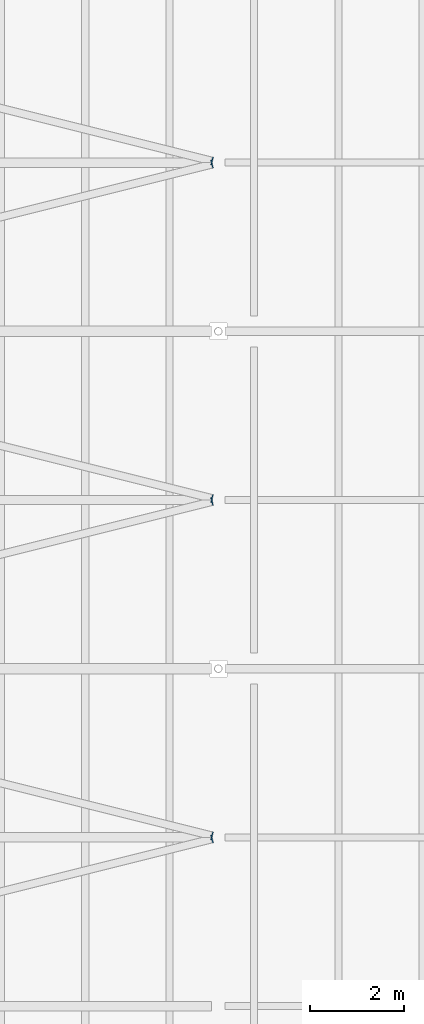
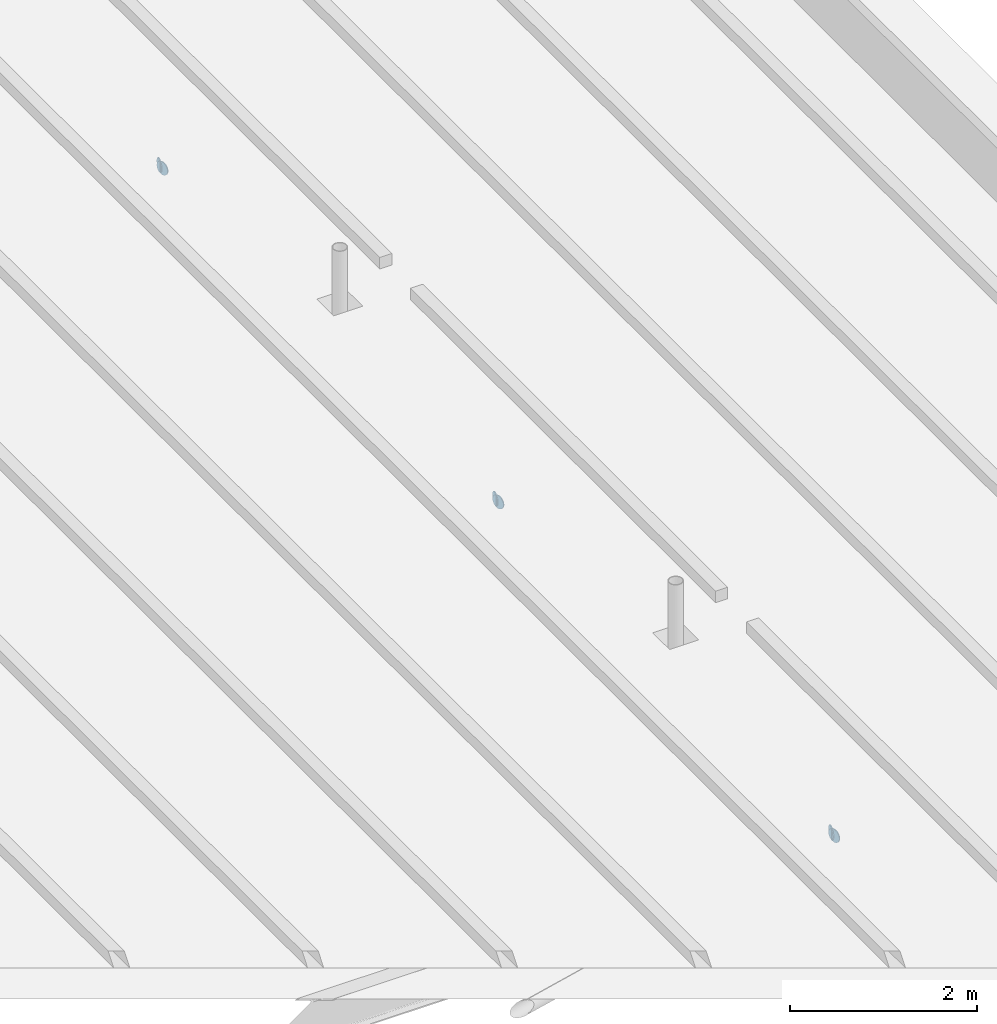
# One storey, part 105 of 120: 6 discrete accessories.
"""IFC4 building model written with IfcOpenShell, lengths in metres."""

import ifcopenshell
import ifcopenshell.guid

model = None  # the IFC model being written
_history = None  # IfcOwnerHistory: only IFC2X3 demands one
_inside = {}  # id of a spatial element -> (the spatial element, [elements in it])
_under = {}  # id of a project, library or spatial element -> (it, [spatial elements below it])
_declared = {}  # id of a project -> (the project, [libraries it declares])
_typed = {}  # id of a type object -> (the type object, [elements of that type])
_made_of = {}  # id of a material, layer set ... -> (it, [elements and type objects made of it])


def new_model(schema):
    """Start an empty IFC model of exactly this schema.

    Asked for "IFC4X3", IfcOpenShell would pick the latest addendum, in which some entities
    have other attributes; the version numbers below select the first issue.
    IFC2X3 requires an IfcOwnerHistory on every rooted entity: one is made here for all.
    """
    global model, _history
    if schema == "IFC4X3":
        model = ifcopenshell.file(schema_version=(4, 3, 0, 0))
    else:
        model = ifcopenshell.file(schema=schema)
    _inside.clear()
    _under.clear()
    _declared.clear()
    _typed.clear()
    _made_of.clear()
    _history = None
    if model.schema == "IFC2X3":
        org = make("IfcOrganization", Name="unknown")
        user = make(
            "IfcPersonAndOrganization",
            ThePerson=make("IfcPerson", FamilyName="unknown"),
            TheOrganization=org,
        )
        app = make(
            "IfcApplication",
            ApplicationDeveloper=org,
            Version="unknown",
            ApplicationFullName="unknown",
            ApplicationIdentifier="unknown",
        )
        _history = make(
            "IfcOwnerHistory",
            OwningUser=user,
            OwningApplication=app,
            ChangeAction="ADDED",
            CreationDate=0,
        )
    return model


def make(cls, **values):
    """One entity of the class cls with the attributes given. An attribute that is None is left unset."""
    return model.create_entity(
        cls, **{name: value for name, value in values.items() if value is not None}
    )


def rooted(cls, **values):
    """An entity with a GlobalId (a new one), such as an element, a storey or a relation."""
    return make(cls, GlobalId=ifcopenshell.guid.new(), OwnerHistory=_history, **values)


def si_unit(unit_type, name, prefix=None):
    """IfcSIUnit, for example si_unit("LENGTHUNIT", "METRE", prefix="MILLI")."""
    return make("IfcSIUnit", UnitType=unit_type, Prefix=prefix, Name=name)


def assignment(units):
    """IfcUnitAssignment: the units of a project."""
    return None if units is None else make("IfcUnitAssignment", Units=units)


def point(xyz):
    """IfcCartesianPoint."""
    return None if xyz is None else make("IfcCartesianPoint", Coordinates=xyz)


def direction(xyz):
    """IfcDirection."""
    return None if xyz is None else make("IfcDirection", DirectionRatios=xyz)


def frame(location, z_axis=None, x_axis=None):
    """IfcAxis2Placement3D, a coordinate frame: its origin and axes. An axis left out is left unset."""
    return make(
        "IfcAxis2Placement3D",
        Location=point(location),
        Axis=direction(z_axis),
        RefDirection=direction(x_axis),
    )


def frame_2d(location, x_axis=None):
    """IfcAxis2Placement2D, a coordinate frame in the plane: its origin and x axis."""
    return make(
        "IfcAxis2Placement2D", Location=point(location), RefDirection=direction(x_axis)
    )


def origin():
    """The frame at (0, 0, 0) with its axes left unset."""
    return frame((0.0, 0.0, 0.0))


def origin_2d():
    """The frame at (0, 0) in the plane with its x axis left unset."""
    return frame_2d((0.0, 0.0))


def place(relative_to, where):
    """IfcLocalPlacement: puts the frame where relative to a parent placement (None: the world)."""
    return make(
        "IfcLocalPlacement", PlacementRelTo=relative_to, RelativePlacement=where
    )


def context(
    kind, dimensions, precision=None, world=None, true_north=None, identifier=None
):
    """IfcGeometricRepresentationContext, for example the 3D "Model" context."""
    return make(
        "IfcGeometricRepresentationContext",
        ContextIdentifier=identifier,
        ContextType=kind,
        CoordinateSpaceDimension=dimensions,
        Precision=precision,
        WorldCoordinateSystem=world,
        TrueNorth=true_north,
    )


def subcontext(parent, identifier, kind, view, scale=None):
    """IfcGeometricRepresentationSubContext, for example "Body" below "Model"."""
    return make(
        "IfcGeometricRepresentationSubContext",
        ContextIdentifier=identifier,
        ContextType=kind,
        ParentContext=parent,
        TargetScale=scale,
        TargetView=view,
    )


def project(units=None, contexts=None):
    """IfcProject with its units and contexts."""
    return rooted(
        "IfcProject",
        Name="project",
        RepresentationContexts=contexts,
        UnitsInContext=assignment(units),
    )


def spatial(cls, under=None, at=None, **own):
    """A site, building, storey or space (cls), placed at a placement, below another one or the project."""
    s = rooted(cls, ObjectPlacement=at, **own)
    if under is not None:
        _under.setdefault(under.id(), (under, []))[1].append(s)
    return s


def profile(cls, at=None, kind="AREA", **sizes):
    """A parametric profile (cls). Its sizes go by their IFC names, for example OverallWidth=200.0."""
    return make(cls, ProfileType=kind, Position=at, **sizes)


def circle(**sizes):
    """IfcCircleProfileDef."""
    return profile("IfcCircleProfileDef", **sizes)


def extrude(swept, where, along, depth):
    """IfcExtrudedAreaSolid: the profile swept, set in the frame where, extruded along a direction by depth."""
    return make(
        "IfcExtrudedAreaSolid",
        SweptArea=swept,
        Position=where,
        ExtrudedDirection=direction(along),
        Depth=depth,
    )


def shape(context_of_items, identifier, shape_type, items):
    """IfcShapeRepresentation: the items that make up one representation, for example the "Body"."""
    return make(
        "IfcShapeRepresentation",
        ContextOfItems=context_of_items,
        RepresentationIdentifier=identifier,
        RepresentationType=shape_type,
        Items=items,
    )


def material(Name=None, Category=None):
    """IfcMaterial."""
    return make("IfcMaterial", Name=Name, Category=Category)


def layer(
    of_material, thickness, ventilated=None, Name=None, Category=None, Priority=None
):
    """IfcMaterialLayer: one layer of a wall or slab, of a material (None: an air gap)."""
    return make(
        "IfcMaterialLayer",
        Material=of_material,
        LayerThickness=thickness,
        IsVentilated=ventilated,
        Name=Name,
        Category=Category,
        Priority=Priority,
    )


def layer_set(layers, Name=None):
    """IfcMaterialLayerSet."""
    return make("IfcMaterialLayerSet", MaterialLayers=layers, LayerSetName=Name)


def made_of(thing, what):
    """Note that an element or type object is made of a material, layer set ...; save() writes the relation."""
    if what is not None:
        _made_of.setdefault(what.id(), (what, []))[1].append(thing)
    return thing


def type_object(cls, material=None, **own):
    """A type object (cls), such as IfcWallType, which elements share."""
    return made_of(rooted(cls, **own), material)


def element(
    cls,
    number,
    at=None,
    inside=None,
    cuts=None,
    type_object=None,
    material=None,
    context=None,
    identifier="Body",
    shape_type=None,
    held_by="IfcProductDefinitionShape",
    body=None,
    shapes=None,
    **own,
):
    """One element of the class cls, such as IfcWall. Its Tag is "e" and its number.

    at: its placement. inside: the storey or other place that contains it. cuts: it is an
    opening in that element (IfcRelVoidsElement). A single representation is given by context,
    identifier, shape_type and body (its items); several are given by shapes. held_by: the class
    of the entity that holds the representations. save() writes the other relations.
    """
    e = rooted(cls, Tag="e%d" % number, ObjectPlacement=at, **own)
    if body is not None:
        shapes = [shape(context, identifier, shape_type, body)]
    if shapes is not None:
        e.Representation = make(held_by, Representations=shapes)
    if inside is not None:
        _inside.setdefault(inside.id(), (inside, []))[1].append(e)
    if cuts is not None:
        rooted(
            "IfcRelVoidsElement", RelatingBuildingElement=cuts, RelatedOpeningElement=e
        )
    if type_object is not None:
        _typed.setdefault(type_object.id(), (type_object, []))[1].append(e)
    return made_of(e, material)


def aggregate(whole, parts):
    """IfcRelAggregates: a whole, such as a stair, and the parts it consists of."""
    return rooted("IfcRelAggregates", RelatingObject=whole, RelatedObjects=parts)


def save(model, path):
    """Write the relations noted so far, then the file.

    IfcRelAggregates (storeys below a building ...), IfcRelContainedInSpatialStructure (elements
    in a storey), IfcRelDefinesByType, IfcRelAssociatesMaterial and IfcRelDeclares: one each for
    every whole, place, type object, material and project.
    """
    for whole, parts in _under.values():
        aggregate(whole, parts)
    for where, things in _inside.values():
        rooted(
            "IfcRelContainedInSpatialStructure",
            RelatedElements=things,
            RelatingStructure=where,
        )
    for kind, things in _typed.values():
        rooted("IfcRelDefinesByType", RelatedObjects=things, RelatingType=kind)
    for what, things in _made_of.values():
        rooted("IfcRelAssociatesMaterial", RelatedObjects=things, RelatingMaterial=what)
    for by, libraries in _declared.values():
        rooted("IfcRelDeclares", RelatingContext=by, RelatedDefinitions=libraries)
    model.write(path)


model = new_model("IFC4")

# Units and contexts
model_context = context("Model", 3, precision=1e-05, world=origin(), true_north=direction((0.0, 1.0)))
body_context = subcontext(model_context, "Body", "Model", "MODEL_VIEW")
ifc_project = project(units=[si_unit("LENGTHUNIT", "METRE"), si_unit("AREAUNIT", "SQUARE_METRE"), si_unit("VOLUMEUNIT", "CUBIC_METRE"), si_unit("PLANEANGLEUNIT", "RADIAN"), si_unit("MASSUNIT", "GRAM", prefix="KILO")], contexts=[model_context])

# Site, building, storey
site_placement = place(None, origin())
site = spatial("IfcSite", under=ifc_project, at=site_placement, CompositionType="ELEMENT")
building_placement = place(site_placement, origin())
building = spatial("IfcBuilding", under=site, at=building_placement, Name="Kupolbacken Congress Centre", CompositionType="ELEMENT")
storey_placement = place(building_placement, frame((0.0, 0.0, 21.60009765625)))
storey = spatial("IfcBuildingStorey", under=building, at=storey_placement, Name="L06", CompositionType="ELEMENT", Elevation=21.60009765625)

# Discrete accessories
ifc_material = material(Name="Steel S355", Category="steel")
ifc_layer = layer(ifc_material, 0.011962890625)
ifc_layer_set = layer_set([ifc_layer], Name="Steel S355")
discrete_accessory_type = type_object("IfcDiscreteAccessoryType", Name="EC2 tube end cap plate 168 dia x 12", PredefinedType="BRACKET", material=ifc_layer_set)
for number, where, z_axis, x_axis, name in (
    (1, (194.25927734375, 71.96484375, -0.084228515625), (0.970142500145, 0.242535625036, 0.0), (-0.242535625036, 0.970142500145, 0.0), "End cap plate HR/RB/07-07 B"),
    (2, (194.25927734375, 72.03515625, -0.084228515625), (0.970142500145, -0.242535625036, 0.0), (0.242535625036, 0.970142500145, 0.0), "End cap plate HR/RB/07-08 A"),
    (3, (194.25927734375, 79.164794921875, -0.084228515625), (0.970142500145, 0.242535625036, 0.0), (-0.242535625036, 0.970142500145, 0.0), "End cap plate HR/RB/07-09 B"),
    (4, (194.25927734375, 79.235107421875, -0.084228515625), (0.974732318528, -0.223376156329, 0.0), (0.223376156329, 0.974732318528, 0.0), "End cap plate HR/RB/07-10 A"),
    (5, (194.25927734375, 86.36474609375, -0.084228515625), (0.970142500145, 0.242535625036, 0.0), (-0.242535625036, 0.970142500145, 0.0), "End cap plate HR/RB/07-11 B"),
    (6, (194.25927734375, 86.435302734375, -0.084228515625), (0.970142500145, -0.242535625036, 0.0), (0.242535625036, 0.970142500145, 0.0), "End cap plate HR/RB/07-12 A"),
):
    element("IfcDiscreteAccessory", number, at=place(storey_placement, frame(where, z_axis=z_axis, x_axis=x_axis)), inside=storey, type_object=discrete_accessory_type, Name=name, PredefinedType="BRACKET", context=body_context, shape_type="SweptSolid", body=[
        extrude(circle(Radius=0.084228515625, at=origin_2d()), origin(), (0.0, 0.0, 1.0), 0.011962890625),
    ])

save(model, "model.ifc")
